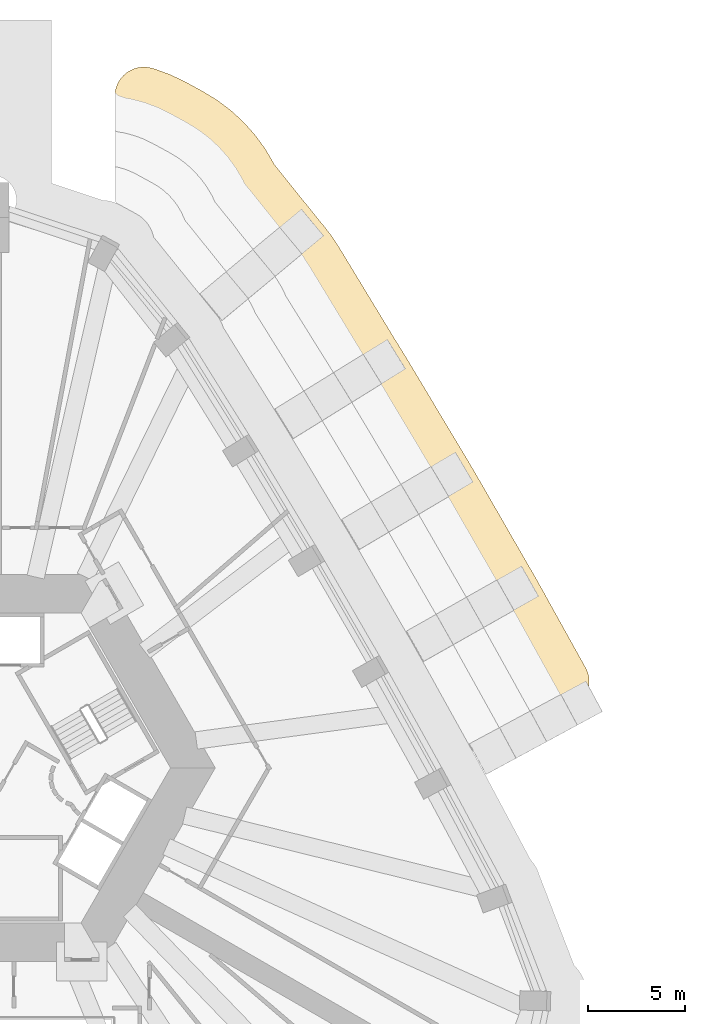
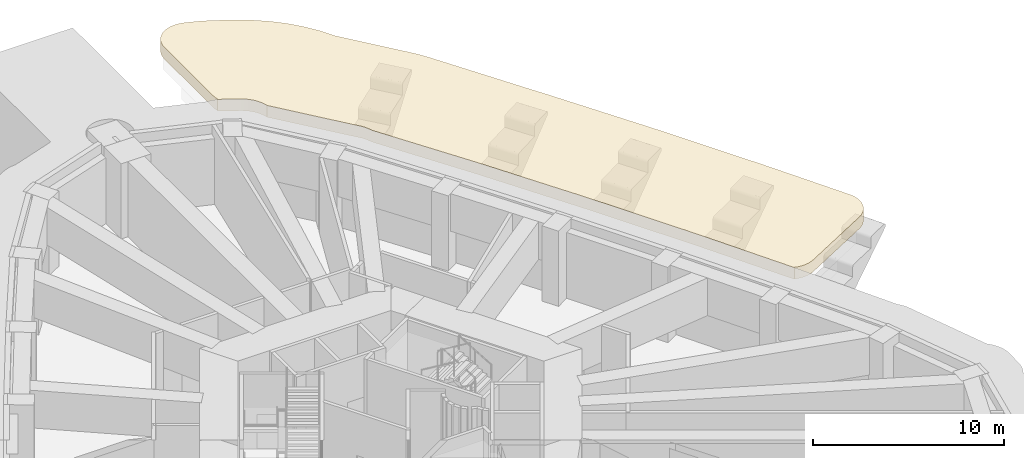
# One storey, part 16 of 16: 1 covering.
"""IFC4 building model written with IfcOpenShell, lengths in metres."""

from ifc_helpers import new_model, si_unit, direction, frame, origin, place, context, subcontext, project, spatial, polyline, outline, extrude, material, type_object, element, save


model = new_model("IFC4")

# Units and contexts
model_context = context("Model", 3, precision=1e-05, world=origin(), true_north=direction((0.0, 1.0)))
body_context = subcontext(model_context, "Body", "Model", "MODEL_VIEW")
ifc_project = project(units=[si_unit("LENGTHUNIT", "METRE"), si_unit("AREAUNIT", "SQUARE_METRE"), si_unit("VOLUMEUNIT", "CUBIC_METRE"), si_unit("PLANEANGLEUNIT", "RADIAN"), si_unit("MASSUNIT", "GRAM", prefix="KILO")], contexts=[model_context])

# Site, building, storey
site_placement = place(None, origin())
site = spatial("IfcSite", under=ifc_project, at=site_placement, CompositionType="ELEMENT")
building_placement = place(site_placement, origin())
building = spatial("IfcBuilding", under=site, at=building_placement, Name="Entoto Arch Interchange Tower", CompositionType="ELEMENT")
storey_placement = place(building_placement, frame((0.0, 0.0, 281.0)))
storey = spatial("IfcBuildingStorey", under=building, at=storey_placement, Name="L65", CompositionType="ELEMENT", Elevation=281.0)

# Covering
ifc_material = material(Name="Board-marked precast concrete C50/60", Category="concrete")
covering_type = type_object("IfcCoveringType", Name="PRECAST FRAME COURSE", PredefinedType="CLADDING", material=ifc_material)
covering_placement = place(storey_placement, frame((0.0, 0.0, 4.050048828125)))
element("IfcCovering", 1, at=covering_placement, inside=storey, type_object=covering_type, Name="Cantilever cornice ne-L65 1", PredefinedType="CLADDING", context=body_context, shape_type="SweptSolid", body=[
    extrude(outline(polyline([(6.389892578125, 31.81201171875), (6.3701171875, 31.9541015625), (6.363037109375, 32.096923828125), (6.363037109375, 32.681884765625), (6.363037109375, 37.193115234375), (6.3701171875, 37.3369140625), (6.39111328125, 37.47900390625), (6.425048828125, 37.618896484375), (6.471923828125, 37.7548828125), (6.532958984375, 37.885986328125), (6.60498046875, 38.010009765625), (6.68896484375, 38.126953125), (6.783935546875, 38.235107421875), (6.888916015625, 38.333984375), (7.0029296875, 38.422119140625), (7.125, 38.4990234375), (7.2529296875, 38.56298828125), (7.386962890625, 38.615966796875), (7.52587890625, 38.655029296875), (7.66796875, 38.679931640625), (7.81103515625, 38.69189453125), (7.955078125, 38.68994140625), (8.097900390625, 38.674072265625), (8.239013671875, 38.64501953125), (8.3349609375, 38.6201171875), (8.47607421875, 38.575927734375), (9.166015625, 38.322998046875), (9.302001953125, 38.26611328125), (9.998046875, 37.929931640625), (10.06298828125, 37.89599609375), (10.876953125, 37.452880859375), (10.94091796875, 37.416015625), (11.60009765625, 37.013916015625), (11.721923828125, 36.930908203125), (12.31005859375, 36.488037109375), (12.423095703125, 36.39404296875), (12.964111328125, 35.89501953125), (13.06689453125, 35.7900390625), (13.556884765625, 35.240966796875), (13.64892578125, 35.126953125), (14.0830078125, 34.531982421875), (14.1640625, 34.408935546875), (14.5458984375, 33.760009765625), (14.573974609375, 33.7109375), (14.58203125, 33.696044921875), (14.60107421875, 33.655029296875), (14.6298828125, 33.618896484375), (16.8798828125, 30.821044921875), (16.884033203125, 30.81689453125), (16.887939453125, 30.81201171875), (17.14111328125, 30.507080078125), (17.175048828125, 30.464111328125), (17.530029296875, 30.00390625), (17.593994140625, 29.9140625), (17.9130859375, 29.428955078125), (17.943115234375, 29.382080078125), (18.471923828125, 28.510009765625), (20.906982421875, 24.4970703125), (20.9189453125, 24.47900390625), (20.929931640625, 24.4619140625), (20.946044921875, 24.43701171875), (21.45703125, 23.610107421875), (21.4619140625, 23.60107421875), (21.52392578125, 23.4990234375), (21.530029296875, 23.489990234375), (24.39697265625, 18.696044921875), (24.405029296875, 18.681884765625), (24.4140625, 18.6689453125), (24.4208984375, 18.657958984375), (24.425048828125, 18.652099609375), (24.464111328125, 18.590087890625), (24.950927734375, 17.763916015625), (24.955078125, 17.757080078125), (24.98291015625, 17.7099609375), (25.0009765625, 17.679931640625), (25.0048828125, 17.673095703125), (27.7890625, 12.840087890625), (27.797119140625, 12.826904296875), (27.804931640625, 12.81396484375), (27.837890625, 12.760986328125), (27.8759765625, 12.697998046875), (28.347900390625, 11.861083984375), (28.35107421875, 11.85693359375), (28.35400390625, 11.85009765625), (28.37890625, 11.804931640625), (28.382080078125, 11.800048828125), (29.60107421875, 9.60205078125), (30.673095703125, 7.669921875), (30.739013671875, 7.537109375), (30.791015625, 7.39794921875), (30.8291015625, 7.2548828125), (30.85205078125, 7.10791015625), (30.861083984375, 6.9599609375), (30.85595703125, 6.81201171875), (30.8359375, 6.6650390625), (30.801025390625, 6.52099609375), (30.751953125, 6.381103515625), (30.68994140625, 6.24609375), (30.614013671875, 6.117919921875), (30.527099609375, 5.998046875), (30.427978515625, 5.887939453125), (30.318115234375, 5.7880859375), (30.199951171875, 5.698974609375), (30.072998046875, 5.6220703125), (26.052001953125, 3.4580078125), (25.927001953125, 3.39794921875), (25.797119140625, 3.35009765625), (25.662109375, 3.31298828125), (25.52490234375, 3.2900390625), (25.386962890625, 3.279052734375), (25.248046875, 3.281982421875), (25.10888671875, 3.297119140625), (24.972900390625, 3.324951171875), (24.840087890625, 3.364990234375), (24.8359375, 3.365966796875), (24.85009765625, 3.3369140625), (24.8330078125, 3.368896484375), (24.741943359375, 3.52099609375), (24.740966796875, 3.52099609375), (22.0849609375, 8.31005859375), (22.077880859375, 8.321044921875), (21.5869140625, 9.19189453125), (21.52197265625, 9.294921875), (18.763916015625, 14.08203125), (18.75390625, 14.09912109375), (18.24609375, 14.9599609375), (18.2041015625, 15.02294921875), (15.347900390625, 19.799072265625), (15.333984375, 19.822021484375), (14.80908203125, 20.672119140625), (14.785888671875, 20.705078125), (11.9609375, 25.240966796875), (11.9541015625, 25.26904296875), (11.89306640625, 25.43505859375), (11.81689453125, 25.593994140625), (11.72509765625, 25.7451171875), (11.618896484375, 25.885986328125), (11.30810546875, 26.260986328125), (8.361083984375, 29.9150390625), (8.3310546875, 30.041015625), (8.27197265625, 30.2080078125), (8.197998046875, 30.367919921875), (8.10888671875, 30.52001953125), (8.00390625, 30.6630859375), (7.886962890625, 30.794921875), (7.757080078125, 30.9140625), (7.615966796875, 31.02099609375), (7.465087890625, 31.113037109375), (6.5869140625, 31.591064453125), (6.427978515625, 31.66796875), (6.39306640625, 31.679931640625), (6.425048828125, 31.669921875), (6.424072265625, 31.673095703125), (6.389892578125, 31.81201171875)])), origin(), (0.0, 0.0, 1.0), 0.75),
])

save(model, "model.ifc")
